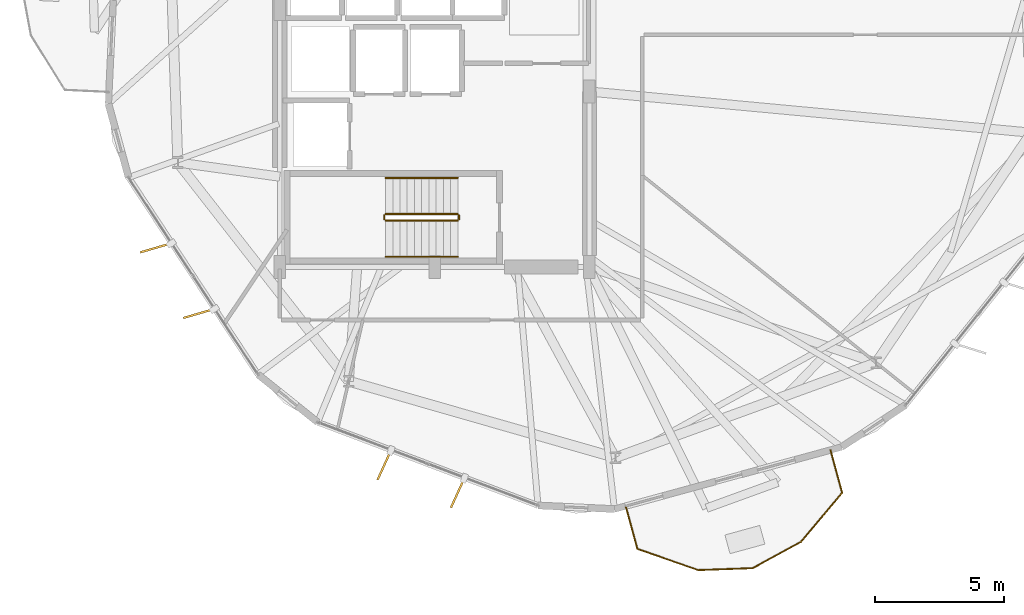
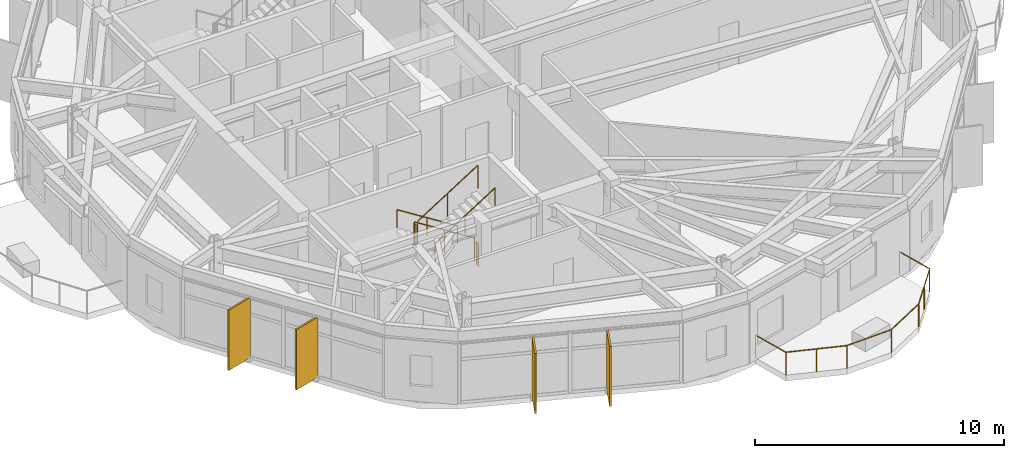
# One storey, part 23 of 25: 7 railings, 4 shading devices.
"""IFC4 building model written with IfcOpenShell, lengths in metres."""

from ifc_helpers import new_model, si_unit, direction, frame, origin, origin_2d, place, context, subcontext, project, spatial, rectangle, circle, extrude, material, layer, layer_set, type_object, element, save


model = new_model("IFC4")

# Units and contexts
model_context = context("Model", 3, precision=1e-05, world=origin(), true_north=direction((0.0, 1.0)))
body_context = subcontext(model_context, "Body", "Model", "MODEL_VIEW")
ifc_project = project(units=[si_unit("LENGTHUNIT", "METRE"), si_unit("AREAUNIT", "SQUARE_METRE"), si_unit("VOLUMEUNIT", "CUBIC_METRE"), si_unit("PLANEANGLEUNIT", "RADIAN"), si_unit("MASSUNIT", "GRAM", prefix="KILO")], contexts=[model_context])

# Site, building, storey
site_placement = place(None, origin())
site = spatial("IfcSite", under=ifc_project, at=site_placement, CompositionType="ELEMENT")
building_placement = place(site_placement, origin())
building = spatial("IfcBuilding", under=site, at=building_placement, Name="Soratama Intermodal Tower", CompositionType="ELEMENT")
storey_placement = place(building_placement, frame((0.0, 0.0, 87.39990234375)))
storey = spatial("IfcBuildingStorey", under=building, at=storey_placement, Name="L20", CompositionType="ELEMENT", Elevation=87.39990234375)

# Railings
ifc_material_1 = material(Name="Laminated glass and stainless steel balustrade", Category="steel")
railing_type_1 = type_object("IfcRailingType", Name="RL-BAL-1150", PredefinedType="BALUSTRADE", material=ifc_material_1)
railing_1_placement = place(storey_placement, frame((53.942626953125, 7.905029296875, 0.0)))
element("IfcRailing", 1, at=railing_1_placement, inside=storey, type_object=railing_type_1, Name="L20 Balcony Balustrade 4", PredefinedType="BALUSTRADE", context=body_context, shape_type="SweptSolid", body=[
    extrude(circle(Radius=0.02392578125, at=origin_2d()), frame((0.0, 0.0, 1.1259765625), z_axis=(0.263849912762, -0.964563747782, 0.0), x_axis=(0.964563747782, 0.263849912762, 0.0)), (0.0, 0.0, 1.0), 1.72021484375),
    extrude(circle(Radius=0.02392578125, at=origin_2d()), frame((0.453857421875, -1.6591796875, 1.1259765625), z_axis=(-0.645161794145, -0.764045979883, 0.0), x_axis=(0.764045979883, -0.645161794145, 0.0)), (0.0, 0.0, 1.0), 2.4970703125),
    extrude(circle(Radius=0.02392578125, at=origin_2d()), frame((-1.1572265625, -3.567138671875, 1.1259765625), z_axis=(-0.878314592587, -0.478083127133, 0.0), x_axis=(0.478083127133, -0.878314592587, 0.0)), (0.0, 0.0, 1.0), 2.113525390625),
    extrude(circle(Radius=0.02392578125, at=origin_2d()), frame((-3.013671875, -4.57763671875, 1.1259765625), z_axis=(-0.999367113854, -0.035572064147, 0.0), x_axis=(0.035572064147, -0.999367113854, 0.0)), (0.0, 0.0, 1.0), 2.11376953125),
    extrude(circle(Radius=0.02392578125, at=origin_2d()), frame((-5.126220703125, -4.65283203125, 1.1259765625), z_axis=(-0.944263097195, 0.329191742416, 0.0), x_axis=(-0.329191742416, -0.944263097195, 0.0)), (0.0, 0.0, 1.0), 2.4970703125),
    extrude(circle(Radius=0.02392578125, at=origin_2d()), frame((-7.484130859375, -3.830810546875, 1.1259765625), z_axis=(-0.263717855031, 0.964599861568, 0.0), x_axis=(-0.964599861568, -0.263717855031, 0.0)), (0.0, 0.0, 1.0), 1.719970703125),
    extrude(circle(Radius=0.02099609375, at=origin_2d()), origin(), (0.0, 0.0, 1.0), 1.101806640625),
    extrude(circle(Radius=0.02099609375, at=origin_2d()), frame((0.453857421875, -1.6591796875, 0.0)), (0.0, 0.0, 1.0), 1.101806640625),
    extrude(circle(Radius=0.02099609375, at=origin_2d()), frame((-0.3515625, -2.61328125, 0.0)), (0.0, 0.0, 1.0), 1.101806640625),
    extrude(circle(Radius=0.02099609375, at=origin_2d()), frame((-1.1572265625, -3.567138671875, 0.0)), (0.0, 0.0, 1.0), 1.101806640625),
    extrude(circle(Radius=0.02099609375, at=origin_2d()), frame((-3.013671875, -4.57763671875, 0.0)), (0.0, 0.0, 1.0), 1.101806640625),
    extrude(circle(Radius=0.02099609375, at=origin_2d()), frame((-5.126220703125, -4.65283203125, 0.0)), (0.0, 0.0, 1.0), 1.101806640625),
    extrude(circle(Radius=0.02099609375, at=origin_2d()), frame((-6.30517578125, -4.24169921875, 0.0)), (0.0, 0.0, 1.0), 1.101806640625),
    extrude(circle(Radius=0.02099609375, at=origin_2d()), frame((-7.484130859375, -3.830810546875, 0.0)), (0.0, 0.0, 1.0), 1.101806640625),
    extrude(circle(Radius=0.02099609375, at=origin_2d()), frame((-7.937744140625, -2.171630859375, 0.0)), (0.0, 0.0, 1.0), 1.101806640625),
])
ifc_material_2 = material(Name="Painted steel stair guardrail", Category="steel")
railing_type_2 = type_object("IfcRailingType", Name="RL-STAIR-GUARD", PredefinedType="GUARDRAIL", material=ifc_material_2)
railing_2_placement = place(storey_placement, frame((39.5, 17.050048828125, 0.177490234375)))
element("IfcRailing", 2, at=railing_2_placement, inside=storey, type_object=railing_type_2, Name="L20 ST-1 stair guard 1", PredefinedType="GUARDRAIL", context=body_context, shape_type="SweptSolid", body=[
    extrude(circle(Radius=0.02392578125, at=origin_2d()), frame((0.0, 0.0, 1.1259765625), z_axis=(-0.844908973607, 0.0, 0.534910110503), x_axis=(0.0, -1.0, 0.0)), (0.0, 0.0, 1.0), 3.31396484375),
    extrude(circle(Radius=0.02099609375, at=origin_2d()), origin(), (0.0, 0.0, 1.0), 1.101806640625),
    extrude(circle(Radius=0.02099609375, at=origin_2d()), frame((-1.39990234375, 0.0, 0.88623046875)), (0.0, 0.0, 1.0), 1.101806640625),
    extrude(circle(Radius=0.02099609375, at=origin_2d()), frame((-2.800048828125, 0.0, 1.772705078125)), (0.0, 0.0, 1.0), 1.101806640625),
])
railing_3_placement = place(storey_placement, frame((36.64990234375, 17.0, 1.9501953125)))
element("IfcRailing", 3, at=railing_3_placement, inside=storey, type_object=railing_type_2, Name="L20 ST-1 stair guard 2", PredefinedType="GUARDRAIL", context=body_context, shape_type="SweptSolid", body=[
    extrude(circle(Radius=0.02392578125, at=origin_2d()), frame((0.0, 0.0, 1.1259765625), z_axis=(0.0, -1.0, 0.0), x_axis=(1.0, 0.0, 0.0)), (0.0, 0.0, 1.0), 0.14990234375),
    extrude(circle(Radius=0.02099609375, at=origin_2d()), origin(), (0.0, 0.0, 1.0), 1.101806640625),
    extrude(circle(Radius=0.02099609375, at=origin_2d()), frame((0.0, -0.14990234375, 0.0)), (0.0, 0.0, 1.0), 1.101806640625),
])
railing_4_placement = place(storey_placement, frame((36.699951171875, 16.800048828125, 2.12744140625)))
element("IfcRailing", 4, at=railing_4_placement, inside=storey, type_object=railing_type_2, Name="L20 ST-1 stair guard 3", PredefinedType="GUARDRAIL", context=body_context, shape_type="SweptSolid", body=[
    extrude(circle(Radius=0.02392578125, at=origin_2d()), frame((0.0, 0.0, 1.1259765625), z_axis=(0.844908973607, 0.0, 0.534910110503), x_axis=(0.0, 1.0, 0.0)), (0.0, 0.0, 1.0), 3.31396484375),
    extrude(circle(Radius=0.02099609375, at=origin_2d()), origin(), (0.0, 0.0, 1.0), 1.101806640625),
    extrude(circle(Radius=0.02099609375, at=origin_2d()), frame((1.39990234375, 0.0, 0.88623046875)), (0.0, 0.0, 1.0), 1.101806640625),
    extrude(circle(Radius=0.02099609375, at=origin_2d()), frame((2.800048828125, 0.0, 1.772705078125)), (0.0, 0.0, 1.0), 1.101806640625),
])
railing_5_placement = place(storey_placement, frame((39.550048828125, 17.0, 0.0)))
element("IfcRailing", 5, at=railing_5_placement, inside=storey, type_object=railing_type_2, Name="L20 ST-1 stair guard 4", PredefinedType="GUARDRAIL", context=body_context, shape_type="SweptSolid", body=[
    extrude(circle(Radius=0.02392578125, at=origin_2d()), frame((0.0, 0.0, 1.1259765625), z_axis=(0.0, -1.0, 0.0), x_axis=(1.0, 0.0, 0.0)), (0.0, 0.0, 1.0), 0.14990234375),
    extrude(circle(Radius=0.02099609375, at=origin_2d()), origin(), (0.0, 0.0, 1.0), 1.101806640625),
    extrude(circle(Radius=0.02099609375, at=origin_2d()), frame((0.0, -0.14990234375, 0.0)), (0.0, 0.0, 1.0), 1.101806640625),
])
ifc_material_3 = material(Name="Brushed stainless steel handrail", Category="steel")
railing_type_3 = type_object("IfcRailingType", Name="RL-STAIR-HAND", PredefinedType="HANDRAIL", material=ifc_material_3)
railing_6_placement = place(storey_placement, frame((39.5, 18.449951171875, 0.177490234375)))
element("IfcRailing", 6, at=railing_6_placement, inside=storey, type_object=railing_type_3, Name="L20 ST-1 stair handrail 1", PredefinedType="HANDRAIL", context=body_context, shape_type="SweptSolid", body=[
    extrude(circle(Radius=0.02392578125, at=origin_2d()), frame((0.0, 0.0, 0.8759765625), z_axis=(-0.844908973607, 0.0, 0.534910110503), x_axis=(0.0, -1.0, 0.0)), (0.0, 0.0, 1.0), 3.31396484375),
    extrude(circle(Radius=0.02099609375, at=origin_2d()), origin(), (0.0, 0.0, 1.0), 0.851806640625),
    extrude(circle(Radius=0.02099609375, at=origin_2d()), frame((-1.39990234375, 0.0, 0.88623046875)), (0.0, 0.0, 1.0), 0.851806640625),
    extrude(circle(Radius=0.02099609375, at=origin_2d()), frame((-2.800048828125, 0.0, 1.772705078125)), (0.0, 0.0, 1.0), 0.851806640625),
])
railing_7_placement = place(storey_placement, frame((36.699951171875, 15.39990234375, 2.12744140625)))
element("IfcRailing", 7, at=railing_7_placement, inside=storey, type_object=railing_type_3, Name="L20 ST-1 stair handrail 2", PredefinedType="HANDRAIL", context=body_context, shape_type="SweptSolid", body=[
    extrude(circle(Radius=0.02392578125, at=origin_2d()), frame((0.0, 0.0, 0.8759765625), z_axis=(0.844908973607, 0.0, 0.534910110503), x_axis=(0.0, 1.0, 0.0)), (0.0, 0.0, 1.0), 3.31396484375),
    extrude(circle(Radius=0.02099609375, at=origin_2d()), origin(), (0.0, 0.0, 1.0), 0.851806640625),
    extrude(circle(Radius=0.02099609375, at=origin_2d()), frame((1.39990234375, 0.0, 0.88623046875)), (0.0, 0.0, 1.0), 0.851806640625),
    extrude(circle(Radius=0.02099609375, at=origin_2d()), frame((2.800048828125, 0.0, 1.772705078125)), (0.0, 0.0, 1.0), 0.851806640625),
])

# Shading devices
ifc_material_4 = material(Name="Champagne anodised aluminium solar fin", Category="aluminium")
ifc_layer = layer(ifc_material_4, 0.080078125)
ifc_layer_set = layer_set([ifc_layer], Name="Champagne anodised aluminium solar fin")
shading_device_type = type_object("IfcShadingDeviceType", Name="SH-FIN-1250", PredefinedType="USERDEFINED", material=ifc_layer_set)
for number, where, z_axis, x_axis, name in (
    (8, (27.79150390625, 15.741943359375, 0.02001953125), (0.0, 0.0, 1.0), (-0.959658203669, -0.2811692233, 0.0), "L20 Solar Fin F06-1"),
    (9, (29.46240234375, 13.198486328125, 0.02001953125), (0.0, 0.0, 1.0), (-0.959658203669, -0.2811692233, 0.0), "L20 Solar Fin F06-2"),
    (10, (36.647216796875, 7.318603515625, 0.02001953125), (0.0, 0.0, 1.0), (-0.413898993841, -0.910322812467, 0.0), "L20 Solar Fin F07-1"),
    (11, (39.493896484375, 6.242919921875, 0.02001953125), (0.0, 0.0, 1.0), (-0.413898993841, -0.910322812467, 0.0), "L20 Solar Fin F07-2"),
):
    element("IfcShadingDevice", number, at=place(storey_placement, frame(where, z_axis=z_axis, x_axis=x_axis)), inside=storey, type_object=shading_device_type, Name=name, ObjectType="FIN", PredefinedType="USERDEFINED", context=body_context, shape_type="SweptSolid", body=[
        extrude(rectangle(XDim=1.25, YDim=0.080078125, at=origin_2d()), origin(), (0.0, 0.0, 1.0), 2.958984375),
    ])

save(model, "model.ifc")
